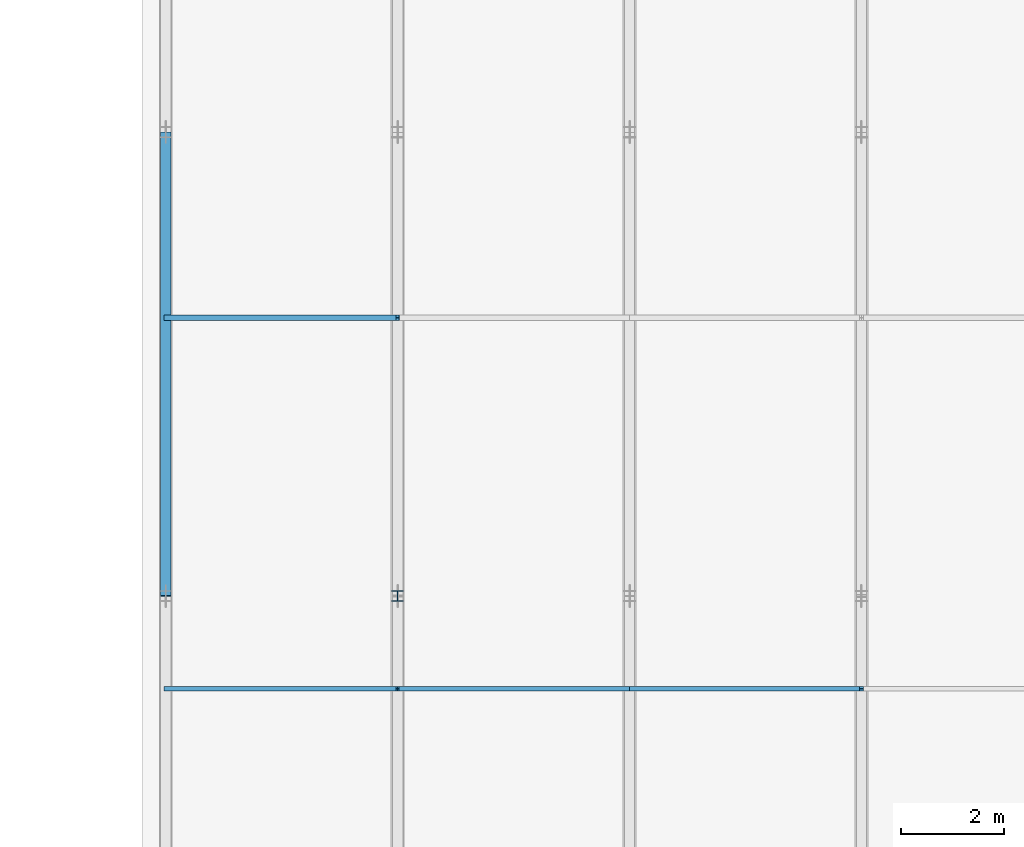
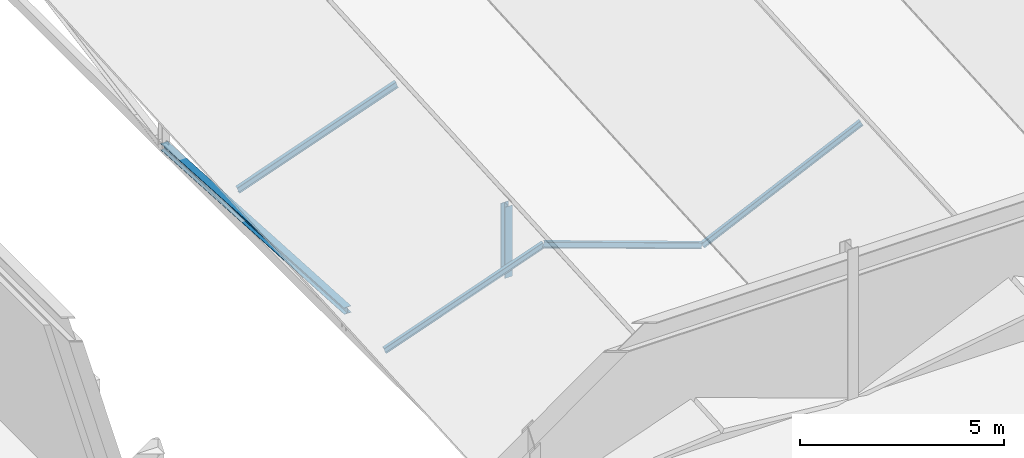
# One storey, part 28 of 142: 6 members.
"""IFC4 building model written with IfcOpenShell, lengths in metres."""

from ifc_helpers import new_model, si_unit, direction, frame, origin, origin_2d, place, context, subcontext, project, spatial, i_section, extrude, material, material_profile, profile_set, type_object, element, save


model = new_model("IFC4")

# Units and contexts
model_context = context("Model", 3, precision=1e-05, world=origin(), true_north=direction((0.0, 1.0)))
body_context = subcontext(model_context, "Body", "Model", "MODEL_VIEW")
ifc_project = project(units=[si_unit("LENGTHUNIT", "METRE"), si_unit("AREAUNIT", "SQUARE_METRE"), si_unit("VOLUMEUNIT", "CUBIC_METRE"), si_unit("PLANEANGLEUNIT", "RADIAN"), si_unit("MASSUNIT", "GRAM", prefix="KILO")], contexts=[model_context])

# Site, building, storey
site_placement = place(None, origin())
site = spatial("IfcSite", under=ifc_project, at=site_placement, CompositionType="ELEMENT")
building_placement = place(site_placement, origin())
building = spatial("IfcBuilding", under=site, at=building_placement, Name="Montelvaro Courts of Justice", CompositionType="ELEMENT")
storey_placement = place(building_placement, frame((0.0, 0.0, 14.39990234375)))
storey = spatial("IfcBuildingStorey", under=building, at=storey_placement, Name="L03", CompositionType="ELEMENT", Elevation=14.39990234375)

# Members
ifc_material = material(Name="Steel S355", Category="steel")
ifc_material_profile_1 = material_profile(ifc_material, i_section(OverallWidth=0.199951171875, OverallDepth=0.18994140625, WebThickness=0.006591796875, FlangeThickness=0.010009765625, at=origin_2d()), Name="HEA 200")
ifc_profile_set_1 = profile_set([ifc_material_profile_1], Name="Steel S355")
member_type_1 = type_object("IfcMemberType", Name="Mem_HEA200_Brace", PredefinedType="BRACE", material=ifc_profile_set_1)
member_1_placement = place(storey_placement, frame((54.0, 51.0, 0.22998046875), z_axis=(0.0, 0.998271944472, -0.058763295342), x_axis=(-1.0, 0.0, 0.0)))
element("IfcMember", 1, at=member_1_placement, inside=storey, type_object=member_type_1, Name="Roof Truss Web MB-02 ROOF-PASSAGE-VTR01-W2", PredefinedType="BRACE", context=body_context, shape_type="SweptSolid", body=[
    extrude(i_section(OverallWidth=0.199951171875, OverallDepth=0.18994140625, WebThickness=0.006591796875, FlangeThickness=0.010009765625, at=origin_2d()), origin(), (0.0, 0.0, 1.0), 9.015625),
])
ifc_material_profile_2 = material_profile(ifc_material, i_section(OverallWidth=0.219970703125, OverallDepth=0.2099609375, WebThickness=0.007080078125, FlangeThickness=0.010986328125, at=origin_2d()), Name="HEA 220")
ifc_profile_set_2 = profile_set([ifc_material_profile_2], Name="Steel S355")
member_type_2 = type_object("IfcMemberType", Name="Mem_HEA220_Post", PredefinedType="POST", material=ifc_profile_set_2)
member_2_placement = place(storey_placement, frame((58.5, 51.0, -0.2998046875), z_axis=(0.0, 0.0, 1.0), x_axis=(1.0, 0.0, 0.0)))
element("IfcMember", 2, at=member_2_placement, inside=storey, type_object=member_type_2, Name="Roof Truss Post MP-03 ROOF-PASSAGE-RTR01-V1", PredefinedType="POST", context=body_context, shape_type="SweptSolid", body=[
    extrude(i_section(OverallWidth=0.219970703125, OverallDepth=0.2099609375, WebThickness=0.007080078125, FlangeThickness=0.010986328125, at=origin_2d()), origin(), (0.0, 0.0, 1.0), 2.1298828125),
])
ifc_material_profile_3 = material_profile(ifc_material, i_section(OverallWidth=0.091064453125, OverallDepth=0.179931640625, WebThickness=0.00537109375, FlangeThickness=0.008056640625, at=origin_2d()), Name="IPE 180")
ifc_profile_set_3 = profile_set([ifc_material_profile_3], Name="Steel S355")
member_type_3 = type_object("IfcMemberType", Name="Mem_IPE180_Purlin", PredefinedType="PURLIN", material=ifc_profile_set_3)
for number, where, z_axis, x_axis, name in (
    (3, (54.0, 49.199951171875, 0.1201171875), (0.942208235916, 0.0, 0.335027819997), (0.0, 1.0, 0.0), "Roof Purlin MR-01 ROOF-PASSAGE-PRL-01-1L"),
    (4, (58.5, 49.199951171875, 1.72021484375), (0.942208235916, 0.0, -0.335027819997), (0.0, 1.0, 0.0), "Roof Purlin MR-01 ROOF-PASSAGE-PRL-01-1R"),
):
    element("IfcMember", number, at=place(storey_placement, frame(where, z_axis=z_axis, x_axis=x_axis)), inside=storey, type_object=member_type_3, Name=name, PredefinedType="PURLIN", context=body_context, shape_type="SweptSolid", body=[
        extrude(i_section(OverallWidth=0.091064453125, OverallDepth=0.179931640625, WebThickness=0.00537109375, FlangeThickness=0.008056640625, at=origin_2d()), origin(), (0.0, 0.0, 1.0), 4.776123046875),
    ])
member_3_placement = place(storey_placement, frame((63.0, 49.199951171875, 0.1201171875), z_axis=(0.906175603891, 0.0, 0.422901613751), x_axis=(0.0, 1.0, 0.0)))
element("IfcMember", 5, at=member_3_placement, inside=storey, type_object=member_type_3, Name="Roof Purlin MR-01 ROOF-PASSAGE-PRL-02-1L", PredefinedType="PURLIN", context=body_context, shape_type="SweptSolid", body=[
    extrude(i_section(OverallWidth=0.091064453125, OverallDepth=0.179931640625, WebThickness=0.00537109375, FlangeThickness=0.008056640625, at=origin_2d()), origin(), (0.0, 0.0, 1.0), 4.9658203125),
])
ifc_material_profile_4 = material_profile(ifc_material, i_section(OverallWidth=0.10009765625, OverallDepth=0.199951171875, WebThickness=0.005615234375, FlangeThickness=0.008544921875, at=origin_2d()), Name="IPE 200")
ifc_profile_set_4 = profile_set([ifc_material_profile_4], Name="Steel S355")
member_type_4 = type_object("IfcMemberType", Name="Mem_IPE200_Purlin", PredefinedType="PURLIN", material=ifc_profile_set_4)
member_4_placement = place(storey_placement, frame((54.0, 56.39990234375, 0.56005859375), z_axis=(0.942208235916, 0.0, 0.335027819997), x_axis=(0.0, 1.0, 0.0)))
element("IfcMember", 6, at=member_4_placement, inside=storey, type_object=member_type_4, Name="Roof Purlin MR-02 ROOF-PASSAGE-PRL-01-2L", PredefinedType="PURLIN", context=body_context, shape_type="SweptSolid", body=[
    extrude(i_section(OverallWidth=0.10009765625, OverallDepth=0.199951171875, WebThickness=0.005615234375, FlangeThickness=0.008544921875, at=origin_2d()), origin(), (0.0, 0.0, 1.0), 4.776123046875),
])

save(model, "model.ifc")
